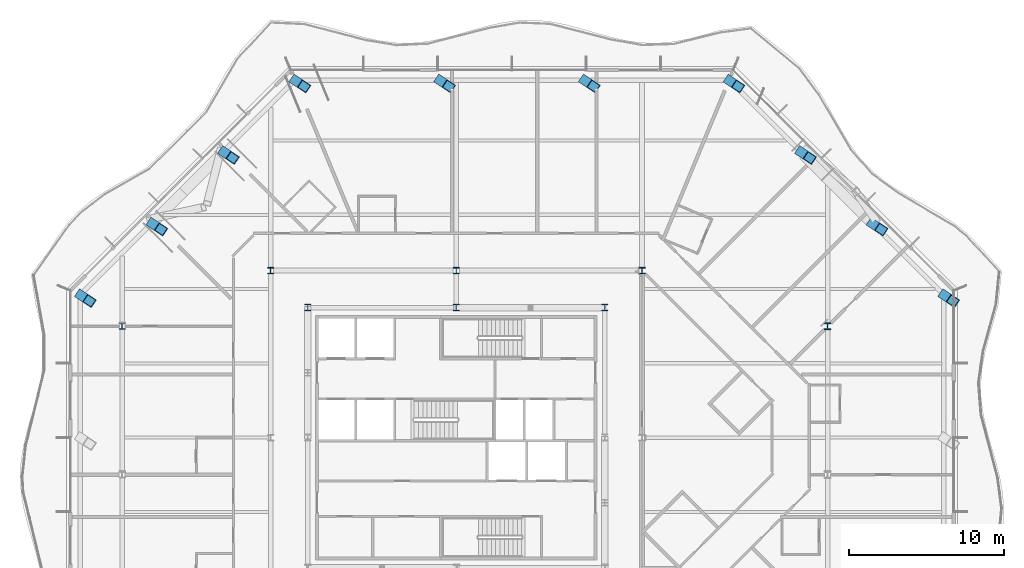
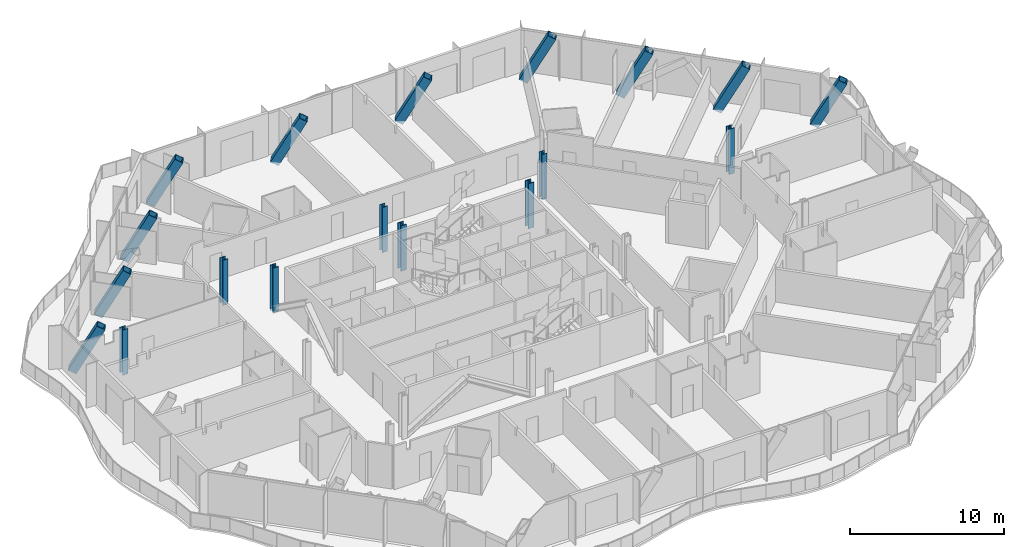
# One storey, part 2 of 19: 18 columns.
"""IFC4 building model written with IfcOpenShell, lengths in metres."""

from ifc_helpers import new_model, si_unit, direction, frame, origin, origin_2d, place, context, subcontext, project, spatial, hollow_rectangle, i_section, extrude, clip, halfspace, material, material_profile, profile_set, type_object, element, save


model = new_model("IFC4")

# Units and contexts
model_context = context("Model", 3, precision=1e-05, world=origin(), true_north=direction((0.0, 1.0)))
body_context = subcontext(model_context, "Body", "Model", "MODEL_VIEW")
ifc_project = project(units=[si_unit("LENGTHUNIT", "METRE"), si_unit("AREAUNIT", "SQUARE_METRE"), si_unit("VOLUMEUNIT", "CUBIC_METRE"), si_unit("PLANEANGLEUNIT", "RADIAN"), si_unit("MASSUNIT", "GRAM", prefix="KILO")], contexts=[model_context])

# Site, building, storey
site_placement = place(None, origin())
site = spatial("IfcSite", under=ifc_project, at=site_placement, CompositionType="ELEMENT")
building_placement = place(site_placement, origin())
building = spatial("IfcBuilding", under=site, at=building_placement, Name="Cairn Pilgrim Tower", CompositionType="ELEMENT")
storey_placement = place(building_placement, frame((0.0, 0.0, 186.60009765625)))
storey = spatial("IfcBuildingStorey", under=building, at=storey_placement, Name="L47", CompositionType="ELEMENT", Elevation=186.60009765625)

# Columns
ifc_material_1 = material(Name="Structural steel S460M", Category="steel")
ifc_material_profile_1 = material_profile(ifc_material_1, hollow_rectangle(XDim=0.60009765625, YDim=0.60009765625, WallThickness=0.034912109375, at=origin_2d()), Name="BOX 600x600x35")
ifc_profile_set_1 = profile_set([ifc_material_profile_1], Name="Structural steel S460M")
column_type_1 = type_object("IfcColumnType", Name="BOX 600x600x35", PredefinedType="COLUMN", material=ifc_profile_set_1)
for number, where, z_axis, x_axis, name in (
    (1, (38.699951171875, 11.627197265625, -0.150146484375), (0.387212850535, -0.258161908255, 0.885109392961), (0.554729959787, 0.832030451194, 0.0), "PC2-NE1"),
    (2, (34.07568359375, 16.25146484375, -0.150146484375), (0.387212850535, -0.258161908255, 0.885109392961), (0.554729959787, 0.832030451194, 0.0), "PC2-NE2"),
):
    element("IfcColumn", number, at=place(storey_placement, frame(where, z_axis=z_axis, x_axis=x_axis)), inside=storey, type_object=column_type_1, Name=name, PredefinedType="COLUMN", context=body_context, shape_type="Clipping", body=[
        clip(extrude(hollow_rectangle(XDim=0.60009765625, YDim=0.60009765625, WallThickness=0.034912109375, at=origin_2d()), origin(), (0.0, 0.0, 1.0), 4.0673828125), halfspace(frame((0.0, 0.0, 4.048828125), z_axis=(0.0, 0.0, 1.0), x_axis=(1.0, 0.0, 0.0)), False)),
    ])
column_1_placement = place(storey_placement, frame((29.451416015625, 20.875732421875, -0.150146484375), z_axis=(0.38726387287, -0.258155907814, 0.885088820419), x_axis=(0.554670435147, 0.832070134288, 0.0)))
element("IfcColumn", 3, at=column_1_placement, inside=storey, type_object=column_type_1, Name="PC2-NE3", PredefinedType="COLUMN", context=body_context, shape_type="Clipping", body=[
    clip(extrude(hollow_rectangle(XDim=0.60009765625, YDim=0.60009765625, WallThickness=0.034912109375, at=origin_2d()), origin(), (0.0, 0.0, 1.0), 4.0673828125), halfspace(frame((0.0, 0.0, 4.049072265625), z_axis=(0.0, 0.0, 1.0), x_axis=(1.0, 0.0, 0.0)), False)),
])
column_2_placement = place(storey_placement, frame((24.8271484375, 25.5, -0.150146484375), z_axis=(0.387212850535, -0.258161908255, 0.885109392961), x_axis=(0.554729959787, 0.832030451194, 0.0)))
element("IfcColumn", 4, at=column_2_placement, inside=storey, type_object=column_type_1, Name="PC2-N1", PredefinedType="COLUMN", context=body_context, shape_type="Clipping", body=[
    clip(extrude(hollow_rectangle(XDim=0.60009765625, YDim=0.60009765625, WallThickness=0.034912109375, at=origin_2d()), origin(), (0.0, 0.0, 1.0), 4.0673828125), halfspace(frame((0.0, 0.0, 4.048828125), z_axis=(0.0, 0.0, 1.0), x_axis=(1.0, 0.0, 0.0)), False)),
])
column_3_placement = place(storey_placement, frame((15.4755859375, 25.5, -0.150146484375), z_axis=(0.38726387287, -0.258155907814, 0.885088820419), x_axis=(0.554670435147, 0.832070134288, 0.0)))
element("IfcColumn", 5, at=column_3_placement, inside=storey, type_object=column_type_1, Name="PC2-N2", PredefinedType="COLUMN", context=body_context, shape_type="Clipping", body=[
    clip(extrude(hollow_rectangle(XDim=0.60009765625, YDim=0.60009765625, WallThickness=0.034912109375, at=origin_2d()), origin(), (0.0, 0.0, 1.0), 4.0673828125), halfspace(frame((0.0, 0.0, 4.049072265625), z_axis=(0.0, 0.0, 1.0), x_axis=(1.0, 0.0, 0.0)), False)),
])
column_4_placement = place(storey_placement, frame((6.124267578125, 25.5, -0.150146484375), z_axis=(0.387212850535, -0.258161908255, 0.885109392961), x_axis=(0.554729959787, 0.832030451194, 0.0)))
element("IfcColumn", 6, at=column_4_placement, inside=storey, type_object=column_type_1, Name="PC2-N3", PredefinedType="COLUMN", context=body_context, shape_type="Clipping", body=[
    clip(extrude(hollow_rectangle(XDim=0.60009765625, YDim=0.60009765625, WallThickness=0.034912109375, at=origin_2d()), origin(), (0.0, 0.0, 1.0), 4.0673828125), halfspace(frame((0.0, 0.0, 4.048828125), z_axis=(0.0, 0.0, 1.0), x_axis=(1.0, 0.0, 0.0)), False)),
])
column_5_placement = place(storey_placement, frame((-3.227294921875, 25.5, -0.150146484375), z_axis=(0.38726387287, -0.258155907814, 0.885088820419), x_axis=(0.554670435147, 0.832070134288, 0.0)))
element("IfcColumn", 7, at=column_5_placement, inside=storey, type_object=column_type_1, Name="PC2-NW1", PredefinedType="COLUMN", context=body_context, shape_type="Clipping", body=[
    clip(extrude(hollow_rectangle(XDim=0.60009765625, YDim=0.60009765625, WallThickness=0.034912109375, at=origin_2d()), origin(), (0.0, 0.0, 1.0), 4.0673828125), halfspace(frame((0.0, 0.0, 4.049072265625), z_axis=(0.0, 0.0, 1.0), x_axis=(1.0, 0.0, 0.0)), False)),
])
for number, where, z_axis, x_axis, name in (
    (8, (-7.8515625, 20.875732421875, -0.150146484375), (0.387212850535, -0.258161908255, 0.885109392961), (0.554729959787, 0.832030451194, 0.0), "PC2-NW2"),
    (9, (-12.4755859375, 16.25146484375, -0.150146484375), (0.387212850535, -0.258161908255, 0.885109392961), (0.554729959787, 0.832030451194, 0.0), "PC2-NW3"),
):
    element("IfcColumn", number, at=place(storey_placement, frame(where, z_axis=z_axis, x_axis=x_axis)), inside=storey, type_object=column_type_1, Name=name, PredefinedType="COLUMN", context=body_context, shape_type="Clipping", body=[
        clip(extrude(hollow_rectangle(XDim=0.60009765625, YDim=0.60009765625, WallThickness=0.034912109375, at=origin_2d()), origin(), (0.0, 0.0, 1.0), 4.0673828125), halfspace(frame((0.0, 0.0, 4.048828125), z_axis=(0.0, 0.0, 1.0), x_axis=(1.0, 0.0, 0.0)), False)),
    ])
column_6_placement = place(storey_placement, frame((-17.10009765625, 11.627197265625, -0.150146484375), z_axis=(0.38726387287, -0.258155907814, 0.885088820419), x_axis=(0.554670435147, 0.832070134288, 0.0)))
element("IfcColumn", 10, at=column_6_placement, inside=storey, type_object=column_type_1, Name="PC2-W1", PredefinedType="COLUMN", context=body_context, shape_type="Clipping", body=[
    clip(extrude(hollow_rectangle(XDim=0.60009765625, YDim=0.60009765625, WallThickness=0.034912109375, at=origin_2d()), origin(), (0.0, 0.0, 1.0), 4.0673828125), halfspace(frame((0.0, 0.0, 4.049072265625), z_axis=(0.0, 0.0, 1.0), x_axis=(1.0, 0.0, 0.0)), False)),
])
ifc_material_2 = material(Name="Structural steel S355J2", Category="steel")
ifc_material_profile_2 = material_profile(ifc_material_2, i_section(OverallWidth=0.39892578125, OverallDepth=0.39306640625, WebThickness=0.022705078125, FlangeThickness=0.03662109375, FilletRadius=0.014892578125, at=origin_2d()), Name="HD 400x287")
ifc_profile_set_2 = profile_set([ifc_material_profile_2], Name="Structural steel S355J2")
column_type_2 = type_object("IfcColumnType", Name="HD 400x287", PredefinedType="COLUMN", material=ifc_profile_set_2)
for number, where, z_axis, x_axis, name in (
    (11, (-4.800048828125, 13.199951171875, -0.150146484375), (0.0, 0.0, 1.0), (1.0, 0.0, 0.0), "IC-6"),
    (12, (7.199951171875, 13.199951171875, -0.150146484375), (0.0, 0.0, 1.0), (1.0, 0.0, 0.0), "IC-7"),
    (13, (19.199951171875, 13.199951171875, -0.150146484375), (0.0, 0.0, 1.0), (1.0, 0.0, 0.0), "IC-8"),
    (14, (-14.39990234375, 9.60009765625, -0.150146484375), (0.0, 0.0, 1.0), (1.0, 0.0, 0.0), "WC-WW+2"),
):
    element("IfcColumn", number, at=place(storey_placement, frame(where, z_axis=z_axis, x_axis=x_axis)), inside=storey, type_object=column_type_2, Name=name, PredefinedType="COLUMN", context=body_context, shape_type="SweptSolid", body=[
        extrude(i_section(OverallWidth=0.39892578125, OverallDepth=0.39306640625, WebThickness=0.022705078125, FlangeThickness=0.03662109375, FilletRadius=0.014892578125, at=origin_2d()), origin(), (0.0, 0.0, 1.0), 3.60009765625),
    ])
ifc_material_profile_3 = material_profile(ifc_material_1, i_section(OverallWidth=0.408935546875, OverallDepth=0.425048828125, WebThickness=0.03271484375, FlangeThickness=0.052490234375, FilletRadius=0.014892578125, at=origin_2d()), Name="HD 400x421")
ifc_profile_set_3 = profile_set([ifc_material_profile_3], Name="Structural steel S460M")
column_type_3 = type_object("IfcColumnType", Name="HD 400x421", PredefinedType="COLUMN", material=ifc_profile_set_3)
column_7_placement = place(storey_placement, frame((31.199951171875, 9.60009765625, -0.150146484375), z_axis=(0.0, 0.0, 1.0), x_axis=(1.0, 0.0, 0.0)))
element("IfcColumn", 15, at=column_7_placement, inside=storey, type_object=column_type_3, Name="WC-WE+2", PredefinedType="COLUMN", context=body_context, shape_type="SweptSolid", body=[
    extrude(i_section(OverallWidth=0.408935546875, OverallDepth=0.425048828125, WebThickness=0.03271484375, FlangeThickness=0.052490234375, FilletRadius=0.014892578125, at=origin_2d()), origin(), (0.0, 0.0, 1.0), 3.60009765625),
])
ifc_material_profile_4 = material_profile(ifc_material_1, i_section(OverallWidth=0.416015625, OverallDepth=0.446044921875, WebThickness=0.0390625, FlangeThickness=0.062744140625, FilletRadius=0.014892578125, at=origin_2d()), Name="HD 400x509")
ifc_profile_set_4 = profile_set([ifc_material_profile_4], Name="Structural steel S460M")
column_type_4 = type_object("IfcColumnType", Name="HD 400x509", PredefinedType="COLUMN", material=ifc_profile_set_4)
for number, where, z_axis, x_axis, name in (
    (16, (-2.39990234375, 10.800048828125, -0.150146484375), (0.0, 0.0, 1.0), (1.0, 0.0, 0.0), "KC-6"),
    (17, (7.199951171875, 10.800048828125, -0.150146484375), (0.0, 0.0, 1.0), (1.0, 0.0, 0.0), "KC-7"),
    (18, (16.800048828125, 10.800048828125, -0.150146484375), (0.0, 0.0, 1.0), (1.0, 0.0, 0.0), "KC-8"),
):
    element("IfcColumn", number, at=place(storey_placement, frame(where, z_axis=z_axis, x_axis=x_axis)), inside=storey, type_object=column_type_4, Name=name, PredefinedType="COLUMN", context=body_context, shape_type="SweptSolid", body=[
        extrude(i_section(OverallWidth=0.416015625, OverallDepth=0.446044921875, WebThickness=0.0390625, FlangeThickness=0.062744140625, FilletRadius=0.014892578125, at=origin_2d()), origin(), (0.0, 0.0, 1.0), 3.60009765625),
    ])

save(model, "model.ifc")
